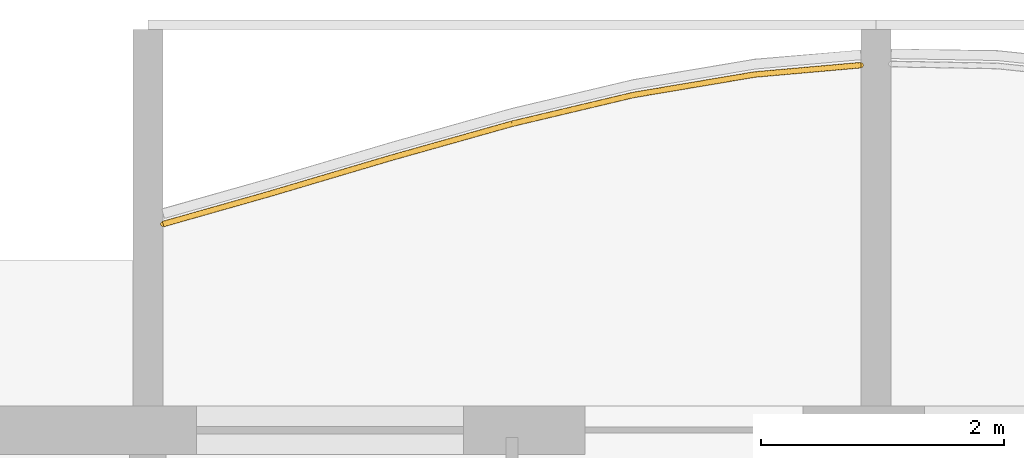
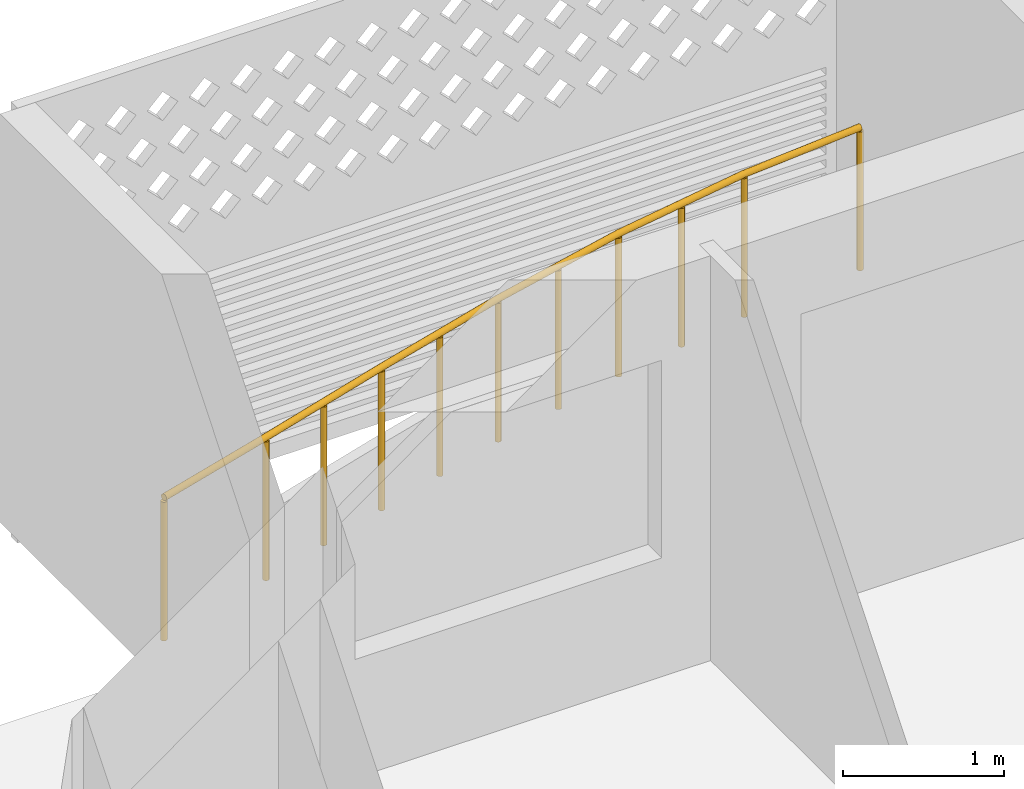
# One storey, part 17 of 32: 1 railing.
"""IFC4 building model written with IfcOpenShell, lengths in metres."""

from ifc_helpers import new_model, si_unit, direction, frame, origin, origin_2d, place, context, subcontext, project, spatial, circle, extrude, material, type_object, element, save


model = new_model("IFC4")

# Units and contexts
model_context = context("Model", 3, precision=1e-05, world=origin(), true_north=direction((0.0, 1.0)))
body_context = subcontext(model_context, "Body", "Model", "MODEL_VIEW")
ifc_project = project(units=[si_unit("LENGTHUNIT", "METRE"), si_unit("AREAUNIT", "SQUARE_METRE"), si_unit("VOLUMEUNIT", "CUBIC_METRE"), si_unit("PLANEANGLEUNIT", "RADIAN"), si_unit("MASSUNIT", "GRAM", prefix="KILO")], contexts=[model_context])

# Site, building, storey
site_placement = place(None, origin())
site = spatial("IfcSite", under=ifc_project, at=site_placement, CompositionType="ELEMENT")
building_placement = place(site_placement, origin())
building = spatial("IfcBuilding", under=site, at=building_placement, Name="Poui Terraces", CompositionType="ELEMENT")
storey_placement = place(building_placement, frame((0.0, 0.0, 122.39990234375)))
storey = spatial("IfcBuildingStorey", under=building, at=storey_placement, Name="L33", CompositionType="ELEMENT", Elevation=122.39990234375)

# Railing
ifc_material = material(Name="Painted steel fretwork", Category="steel")
railing_type = type_object("IfcRailingType", Name="BALCONY GUARD 1100", PredefinedType="GUARDRAIL", material=ifc_material)
railing_placement = place(storey_placement, frame((18.125, 44.098388671875, 0.0)))
element("IfcRailing", 1, at=railing_placement, inside=storey, type_object=railing_type, Name="BALCONY GUARD", PredefinedType="GUARDRAIL", context=body_context, shape_type="SweptSolid", body=[
    extrude(circle(Radius=0.02392578125, at=origin_2d()), frame((0.0, 0.0, 1.076171875), z_axis=(0.96201870295, 0.272983543778, 0.0), x_axis=(-0.272983543778, 0.96201870295, 0.0)), (0.0, 0.0, 1.0), 0.909423828125),
    extrude(circle(Radius=0.02392578125, at=origin_2d()), frame((0.875, 0.248291015625, 1.076171875), z_axis=(0.958710700624, 0.284383179018, 0.0), x_axis=(-0.284383179018, 0.958710700624, 0.0)), (0.0, 0.0, 1.0), 1.04296875),
    extrude(circle(Radius=0.02392578125, at=origin_2d()), frame((1.875, 0.544921875, 1.076171875), z_axis=(0.962589664763, 0.270963350457, 0.0), x_axis=(-0.270963350457, 0.962589664763, 0.0)), (0.0, 0.0, 1.0), 1.038818359375),
    extrude(circle(Radius=0.02392578125, at=origin_2d()), frame((2.875, 0.826416015625, 1.076171875), z_axis=(0.972979257535, 0.230892538653, 0.0), x_axis=(-0.230892538653, 0.972979257535, 0.0)), (0.0, 0.0, 1.0), 1.02783203125),
    extrude(circle(Radius=0.02392578125, at=origin_2d()), frame((3.875, 1.063720703125, 1.076171875), z_axis=(0.986066669641, 0.166350602715, 0.0), x_axis=(-0.166350602715, 0.986066669641, 0.0)), (0.0, 0.0, 1.0), 1.01416015625),
    extrude(circle(Radius=0.02392578125, at=origin_2d()), frame((4.875, 1.232421875, 1.076171875), z_axis=(0.996135573706, 0.087828917771, 0.0), x_axis=(-0.087828917771, 0.996135573706, 0.0)), (0.0, 0.0, 1.0), 0.87841796875),
    extrude(circle(Radius=0.02099609375, at=origin_2d()), origin(), (0.0, 0.0, 1.0), 1.052001953125),
    extrude(circle(Radius=0.02099609375, at=origin_2d()), frame((0.875, 0.248291015625, 0.0)), (0.0, 0.0, 1.0), 1.052001953125),
    extrude(circle(Radius=0.02099609375, at=origin_2d()), frame((1.375, 0.396484375, 0.0)), (0.0, 0.0, 1.0), 1.052001953125),
    extrude(circle(Radius=0.02099609375, at=origin_2d()), frame((1.875, 0.544921875, 0.0)), (0.0, 0.0, 1.0), 1.052001953125),
    extrude(circle(Radius=0.02099609375, at=origin_2d()), frame((2.375, 0.685546875, 0.0)), (0.0, 0.0, 1.0), 1.052001953125),
    extrude(circle(Radius=0.02099609375, at=origin_2d()), frame((2.875, 0.826416015625, 0.0)), (0.0, 0.0, 1.0), 1.052001953125),
    extrude(circle(Radius=0.02099609375, at=origin_2d()), frame((3.375, 0.945068359375, 0.0)), (0.0, 0.0, 1.0), 1.052001953125),
    extrude(circle(Radius=0.02099609375, at=origin_2d()), frame((3.875, 1.063720703125, 0.0)), (0.0, 0.0, 1.0), 1.052001953125),
    extrude(circle(Radius=0.02099609375, at=origin_2d()), frame((4.375, 1.14794921875, 0.0)), (0.0, 0.0, 1.0), 1.052001953125),
    extrude(circle(Radius=0.02099609375, at=origin_2d()), frame((4.875, 1.232421875, 0.0)), (0.0, 0.0, 1.0), 1.052001953125),
    extrude(circle(Radius=0.02099609375, at=origin_2d()), frame((5.75, 1.3095703125, 0.0)), (0.0, 0.0, 1.0), 1.052001953125),
])

save(model, "model.ifc")
